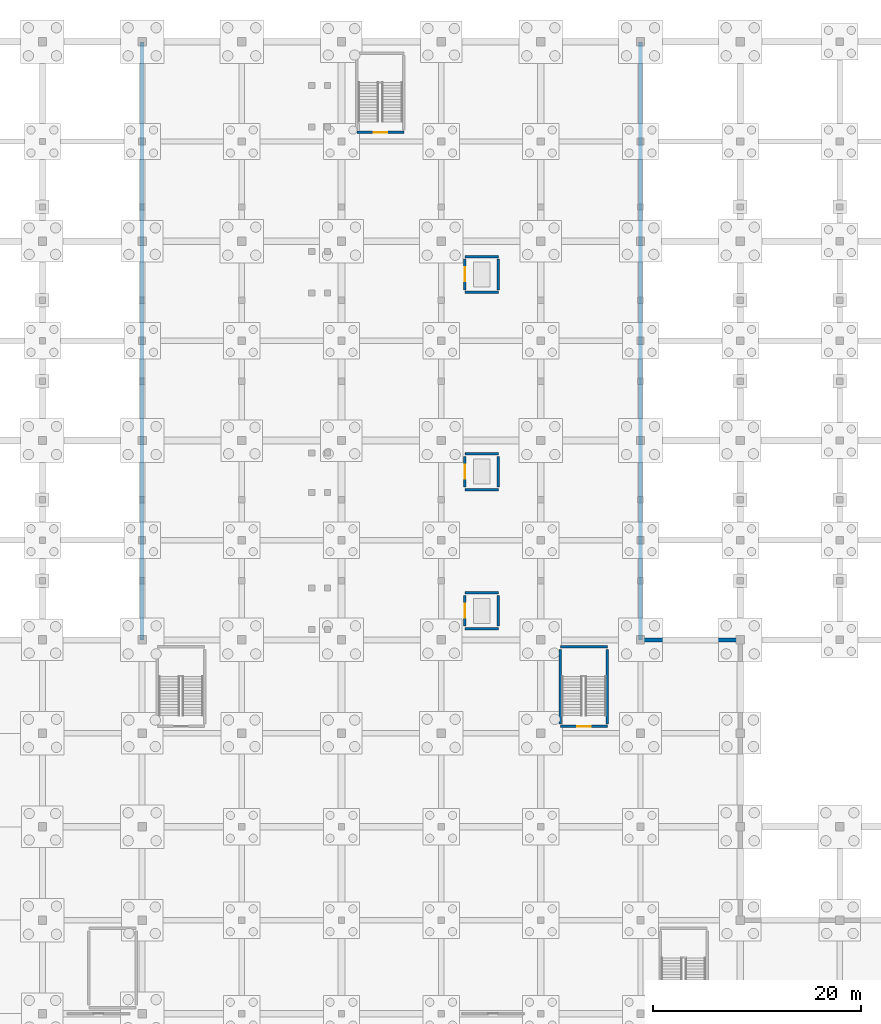
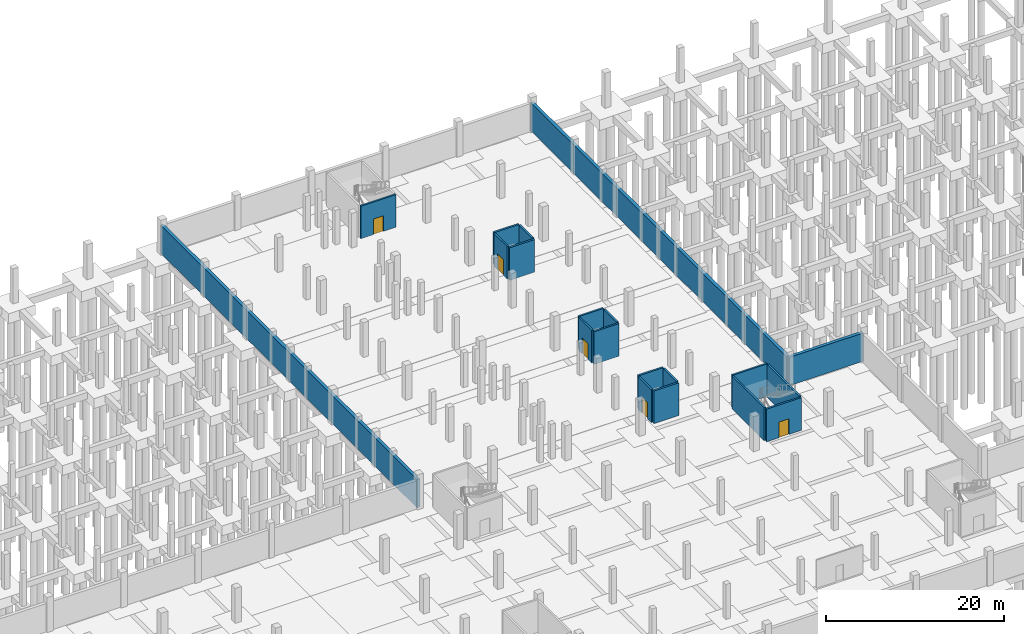
# One storey, part 30 of 39: 20 walls, 5 doors, 5 openings.
"""IFC4 building model written with IfcOpenShell, lengths in metres."""

from ifc_helpers import new_model, si_unit, direction, frame, frame_2d, origin, place, context, subcontext, project, spatial, rectangle, extrude, material, layer, layer_set, type_object, element, fill, save


model = new_model("IFC4")

# Units and contexts
model_context = context("Model", 3, precision=1e-05, world=origin(), true_north=direction((0.0, 1.0)))
body_context = subcontext(model_context, "Body", "Model", "MODEL_VIEW")
ifc_project = project(units=[si_unit("LENGTHUNIT", "METRE"), si_unit("AREAUNIT", "SQUARE_METRE"), si_unit("VOLUMEUNIT", "CUBIC_METRE"), si_unit("PLANEANGLEUNIT", "RADIAN"), si_unit("MASSUNIT", "GRAM", prefix="KILO")], contexts=[model_context])

# Site, building, storey
site_placement = place(None, origin())
site = spatial("IfcSite", under=ifc_project, at=site_placement, CompositionType="ELEMENT")
building_placement = place(site_placement, origin())
building = spatial("IfcBuilding", under=site, at=building_placement, Name="Zarnetskaya Central Station", CompositionType="ELEMENT")
storey_placement = place(building_placement, frame((0.0, 0.0, -4.800048828125)))
storey = spatial("IfcBuildingStorey", under=building, at=storey_placement, Name="B1", CompositionType="ELEMENT", Elevation=-4.800048828125)

# Walls
ifc_material_1 = material(Name="Concrete C35/45", Category="concrete")
ifc_layer_1 = layer(ifc_material_1, 0.39990234375, Name="Concrete C35/45", Category="concrete")
ifc_layer_set_1 = layer_set([ifc_layer_1], Name="Concrete C35/45")
wall_type_1 = type_object("IfcWallType", Name="WALL-RET-400", PredefinedType="USERDEFINED", material=ifc_layer_set_1)
for number, where, z_axis, x_axis, name in (
    (1, (67.199951171875, 67.199951171875, 0.0), (0.0, 0.0, 1.0), (0.0, 1.0, 0.0), "Basement perimeter retaining wall 03"),
    (2, (115.199951171875, 124.800048828125, 0.0), (0.0, 0.0, 1.0), (0.0, -1.0, 0.0), "Basement perimeter retaining wall 05"),
):
    element("IfcWall", number, at=place(storey_placement, frame(where, z_axis=z_axis, x_axis=x_axis)), inside=storey, type_object=wall_type_1, Name=name, ObjectType="RETAININGWALL", PredefinedType="USERDEFINED", context=body_context, shape_type="SweptSolid", body=[
        extrude(rectangle(XDim=57.60009765625, YDim=0.39990234375, at=frame_2d((28.800048828125, 0.0))), origin(), (0.0, 0.0, 1.0), 3.880126953125),
    ])
wall_1_placement = place(storey_placement, frame((115.199951171875, 67.199951171875, 0.0), z_axis=(0.0, 0.0, 1.0), x_axis=(1.0, 0.0, 0.0)))
element("IfcWall", 3, at=wall_1_placement, inside=storey, type_object=wall_type_1, Name="Basement perimeter retaining wall 06", ObjectType="RETAININGWALL", PredefinedType="USERDEFINED", context=body_context, shape_type="SweptSolid", body=[
    extrude(rectangle(XDim=9.60009765625, YDim=0.39990234375, at=frame_2d((4.800048828125, 0.0))), origin(), (0.0, 0.0, 1.0), 3.880126953125),
])
ifc_layer_2 = layer(ifc_material_1, 0.239990234375, Name="Concrete C35/45", Category="concrete")
ifc_layer_set_2 = layer_set([ifc_layer_2], Name="Concrete C35/45")
wall_type_2 = type_object("IfcWallType", Name="WALL-SHFT-240", PredefinedType="SHEAR", material=ifc_layer_set_2)
for number, where, z_axis, x_axis, name in (
    (4, (101.52001953125, 68.280029296875, 0.0), (0.0, 0.0, 1.0), (-1.0, 0.0, 0.0), "Core shear wall WSHF-B1-0137"),
    (5, (98.280029296875, 71.719970703125, 0.0), (0.0, 0.0, 1.0), (1.0, 0.0, 0.0), "Core shear wall WSHF-B1-0138"),
):
    element("IfcWall", number, at=place(storey_placement, frame(where, z_axis=z_axis, x_axis=x_axis)), inside=storey, type_object=wall_type_2, Name=name, PredefinedType="SHEAR", context=body_context, shape_type="SweptSolid", body=[
        extrude(rectangle(XDim=3.239990234375, YDim=0.239990234375, at=frame_2d((1.6201171875, 0.0))), origin(), (0.0, 0.0, 1.0), 4.47998046875),
    ])

# Wall, opening, door
wall_2_placement = place(storey_placement, frame((98.280029296875, 68.52001953125, 0.0), z_axis=(0.0, 0.0, 1.0), x_axis=(0.0, 1.0, 0.0)))
wall_2 = element("IfcWall", 6, at=wall_2_placement, inside=storey, type_object=wall_type_2, Name="Core shear wall WSHF-B1-0139", PredefinedType="SHEAR", context=body_context, shape_type="SweptSolid", body=[
    extrude(rectangle(XDim=2.9599609375, YDim=0.239990234375, at=frame_2d((1.47998046875, 0.0))), origin(), (0.0, 0.0, 1.0), 4.47998046875),
])
opening_1_placement = place(wall_2_placement, frame((0.81005859375, 0.0, 0.0)))
opening_1 = element("IfcOpeningElement", 7, at=opening_1_placement, cuts=wall_2, Name="Opening DR-23", PredefinedType="OPENING", context=body_context, shape_type="SweptSolid", body=[
    extrude(rectangle(XDim=1.340087890625, YDim=2.179931640625, at=frame_2d((0.669921875, 1.08984375))), frame((0.0, 0.1298828125, 0.0), z_axis=(0.0, -1.0, 0.0), x_axis=(1.0, 0.0, 0.0)), (0.0, 0.0, 1.0), 0.260009765625),
])
ifc_material_2 = material(Name="Anodised aluminium", Category="aluminium")
door_type_1 = type_object("IfcDoorType", Name="DR-LIFT-PLAT", OperationType="NOTDEFINED", PredefinedType="DOOR", material=ifc_material_2)
door_1_placement = place(opening_1_placement, origin())
door_1 = element("IfcDoor", 8, at=door_1_placement, inside=storey, type_object=door_type_1, Name="Lift landing sliding door LP-04 B1", OperationType="DOUBLE_DOOR_SLIDING", OverallHeight=2.179931640625, OverallWidth=1.340087890625, PredefinedType="DOOR", context=body_context, shape_type="SweptSolid", body=[
    extrude(rectangle(XDim=1.340087890625, YDim=2.179931640625, at=frame_2d((0.669921875, 1.08984375))), frame((0.0, 0.02490234375, 0.0), z_axis=(0.0, -1.0, 0.0), x_axis=(1.0, 0.0, 0.0)), (0.0, 0.0, 1.0), 0.050048828125),
])
fill(opening_1, door_1)

# Walls
wall_3_placement = place(storey_placement, frame((101.52001953125, 71.47998046875, 0.0), z_axis=(0.0, 0.0, 1.0), x_axis=(0.0, -1.0, 0.0)))
element("IfcWall", 9, at=wall_3_placement, inside=storey, type_object=wall_type_2, Name="Core shear wall WSHF-B1-0140", PredefinedType="SHEAR", context=body_context, shape_type="SweptSolid", body=[
    extrude(rectangle(XDim=2.9599609375, YDim=0.239990234375, at=frame_2d((1.47998046875, 0.0))), origin(), (0.0, 0.0, 1.0), 4.47998046875),
])
for number, where, z_axis, x_axis, name in (
    (10, (101.52001953125, 81.679931640625, 0.0), (0.0, 0.0, 1.0), (-1.0, 0.0, 0.0), "Core shear wall WSHF-B1-0149"),
    (11, (98.280029296875, 85.1201171875, 0.0), (0.0, 0.0, 1.0), (1.0, 0.0, 0.0), "Core shear wall WSHF-B1-0150"),
):
    element("IfcWall", number, at=place(storey_placement, frame(where, z_axis=z_axis, x_axis=x_axis)), inside=storey, type_object=wall_type_2, Name=name, PredefinedType="SHEAR", context=body_context, shape_type="SweptSolid", body=[
        extrude(rectangle(XDim=3.239990234375, YDim=0.239990234375, at=frame_2d((1.6201171875, 0.0))), origin(), (0.0, 0.0, 1.0), 4.47998046875),
    ])

# Wall, opening, door
wall_4_placement = place(storey_placement, frame((98.280029296875, 81.919921875, 0.0), z_axis=(0.0, 0.0, 1.0), x_axis=(0.0, 1.0, 0.0)))
wall_4 = element("IfcWall", 12, at=wall_4_placement, inside=storey, type_object=wall_type_2, Name="Core shear wall WSHF-B1-0151", PredefinedType="SHEAR", context=body_context, shape_type="SweptSolid", body=[
    extrude(rectangle(XDim=2.9599609375, YDim=0.239990234375, at=frame_2d((1.47998046875, 0.0))), origin(), (0.0, 0.0, 1.0), 4.47998046875),
])
opening_2_placement = place(wall_4_placement, frame((0.81005859375, 0.0, 0.0)))
opening_2 = element("IfcOpeningElement", 13, at=opening_2_placement, cuts=wall_4, Name="Opening DR-23", PredefinedType="OPENING", context=body_context, shape_type="SweptSolid", body=[
    extrude(rectangle(XDim=1.340087890625, YDim=2.179931640625, at=frame_2d((0.669921875, 1.08984375))), frame((0.0, 0.1298828125, 0.0), z_axis=(0.0, -1.0, 0.0), x_axis=(1.0, 0.0, 0.0)), (0.0, 0.0, 1.0), 0.260009765625),
])
door_2_placement = place(opening_2_placement, origin())
door_2 = element("IfcDoor", 14, at=door_2_placement, inside=storey, type_object=door_type_1, Name="Lift landing sliding door LP-05 B1", OperationType="DOUBLE_DOOR_SLIDING", OverallHeight=2.179931640625, OverallWidth=1.340087890625, PredefinedType="DOOR", context=body_context, shape_type="SweptSolid", body=[
    extrude(rectangle(XDim=1.340087890625, YDim=2.179931640625, at=frame_2d((0.669921875, 1.08984375))), frame((0.0, 0.02490234375, 0.0), z_axis=(0.0, -1.0, 0.0), x_axis=(1.0, 0.0, 0.0)), (0.0, 0.0, 1.0), 0.050048828125),
])
fill(opening_2, door_2)

# Walls
wall_5_placement = place(storey_placement, frame((101.52001953125, 84.8798828125, 0.0), z_axis=(0.0, 0.0, 1.0), x_axis=(0.0, -1.0, 0.0)))
element("IfcWall", 15, at=wall_5_placement, inside=storey, type_object=wall_type_2, Name="Core shear wall WSHF-B1-0152", PredefinedType="SHEAR", context=body_context, shape_type="SweptSolid", body=[
    extrude(rectangle(XDim=2.9599609375, YDim=0.239990234375, at=frame_2d((1.47998046875, 0.0))), origin(), (0.0, 0.0, 1.0), 4.47998046875),
])
for number, where, z_axis, x_axis, name in (
    (16, (101.52001953125, 100.679931640625, 0.0), (0.0, 0.0, 1.0), (-1.0, 0.0, 0.0), "Core shear wall WSHF-B1-0161"),
    (17, (98.280029296875, 104.1201171875, 0.0), (0.0, 0.0, 1.0), (1.0, 0.0, 0.0), "Core shear wall WSHF-B1-0162"),
):
    element("IfcWall", number, at=place(storey_placement, frame(where, z_axis=z_axis, x_axis=x_axis)), inside=storey, type_object=wall_type_2, Name=name, PredefinedType="SHEAR", context=body_context, shape_type="SweptSolid", body=[
        extrude(rectangle(XDim=3.239990234375, YDim=0.239990234375, at=frame_2d((1.6201171875, 0.0))), origin(), (0.0, 0.0, 1.0), 4.47998046875),
    ])

# Wall, opening, door
wall_6_placement = place(storey_placement, frame((98.280029296875, 100.919921875, 0.0), z_axis=(0.0, 0.0, 1.0), x_axis=(0.0, 1.0, 0.0)))
wall_6 = element("IfcWall", 18, at=wall_6_placement, inside=storey, type_object=wall_type_2, Name="Core shear wall WSHF-B1-0163", PredefinedType="SHEAR", context=body_context, shape_type="SweptSolid", body=[
    extrude(rectangle(XDim=2.9599609375, YDim=0.239990234375, at=frame_2d((1.47998046875, 0.0))), origin(), (0.0, 0.0, 1.0), 4.47998046875),
])
opening_3_placement = place(wall_6_placement, frame((0.81005859375, 0.0, 0.0)))
opening_3 = element("IfcOpeningElement", 19, at=opening_3_placement, cuts=wall_6, Name="Opening DR-23", PredefinedType="OPENING", context=body_context, shape_type="SweptSolid", body=[
    extrude(rectangle(XDim=1.340087890625, YDim=2.179931640625, at=frame_2d((0.669921875, 1.08984375))), frame((0.0, 0.1298828125, 0.0), z_axis=(0.0, -1.0, 0.0), x_axis=(1.0, 0.0, 0.0)), (0.0, 0.0, 1.0), 0.260009765625),
])
door_3_placement = place(opening_3_placement, origin())
door_3 = element("IfcDoor", 20, at=door_3_placement, inside=storey, type_object=door_type_1, Name="Lift landing sliding door LP-06 B1", OperationType="DOUBLE_DOOR_SLIDING", OverallHeight=2.179931640625, OverallWidth=1.340087890625, PredefinedType="DOOR", context=body_context, shape_type="SweptSolid", body=[
    extrude(rectangle(XDim=1.340087890625, YDim=2.179931640625, at=frame_2d((0.669921875, 1.08984375))), frame((0.0, 0.02490234375, 0.0), z_axis=(0.0, -1.0, 0.0), x_axis=(1.0, 0.0, 0.0)), (0.0, 0.0, 1.0), 0.050048828125),
])
fill(opening_3, door_3)

# Wall
wall_7_placement = place(storey_placement, frame((101.52001953125, 103.8798828125, 0.0), z_axis=(0.0, 0.0, 1.0), x_axis=(0.0, -1.0, 0.0)))
element("IfcWall", 21, at=wall_7_placement, inside=storey, type_object=wall_type_2, Name="Core shear wall WSHF-B1-0164", PredefinedType="SHEAR", context=body_context, shape_type="SweptSolid", body=[
    extrude(rectangle(XDim=2.9599609375, YDim=0.239990234375, at=frame_2d((1.47998046875, 0.0))), origin(), (0.0, 0.0, 1.0), 4.47998046875),
])

# Wall, opening, door
wall_8_placement = place(storey_placement, frame((112.02001953125, 58.8798828125, 0.0), z_axis=(0.0, 0.0, 1.0), x_axis=(-1.0, 0.0, 0.0)))
wall_8 = element("IfcWall", 22, at=wall_8_placement, inside=storey, type_object=wall_type_2, Name="Core shear wall WSTR-B1-0309", PredefinedType="SHEAR", context=body_context, shape_type="SweptSolid", body=[
    extrude(rectangle(XDim=4.5400390625, YDim=0.239990234375, at=frame_2d((2.27001953125, 0.0))), origin(), (0.0, 0.0, 1.0), 4.47998046875),
])
opening_4_placement = place(wall_8_placement, frame((1.610107421875, 0.0, 0.0)))
opening_4 = element("IfcOpeningElement", 23, at=opening_4_placement, cuts=wall_8, Name="Opening DR-FD60", PredefinedType="OPENING", context=body_context, shape_type="SweptSolid", body=[
    extrude(rectangle(XDim=1.320068359375, YDim=2.14990234375, at=frame_2d((0.66015625, 1.074951171875))), frame((0.0, 0.1298828125, 0.0), z_axis=(0.0, -1.0, 0.0), x_axis=(1.0, 0.0, 0.0)), (0.0, 0.0, 1.0), 0.260009765625),
])
door_type_2 = type_object("IfcDoorType", Name="DR-FIRE-STAIR", OperationType="NOTDEFINED", PredefinedType="DOOR", material=ifc_material_2)
door_4_placement = place(opening_4_placement, origin())
door_4 = element("IfcDoor", 24, at=door_4_placement, inside=storey, type_object=door_type_2, Name="Protected exit stair door ST-U2 B1", OperationType="SINGLE_SWING_RIGHT", OverallHeight=2.14990234375, OverallWidth=1.320068359375, PredefinedType="DOOR", context=body_context, shape_type="SweptSolid", body=[
    extrude(rectangle(XDim=1.320068359375, YDim=2.14990234375, at=frame_2d((0.66015625, 1.074951171875))), frame((0.0, 0.02490234375, 0.0), z_axis=(0.0, -1.0, 0.0), x_axis=(1.0, 0.0, 0.0)), (0.0, 0.0, 1.0), 0.050048828125),
])
fill(opening_4, door_4)

# Walls
wall_9_placement = place(storey_placement, frame((107.47998046875, 66.52001953125, 0.0), z_axis=(0.0, 0.0, 1.0), x_axis=(1.0, 0.0, 0.0)))
element("IfcWall", 25, at=wall_9_placement, inside=storey, type_object=wall_type_2, Name="Core shear wall WSTR-B1-0310", PredefinedType="SHEAR", context=body_context, shape_type="SweptSolid", body=[
    extrude(rectangle(XDim=4.5400390625, YDim=0.239990234375, at=frame_2d((2.27001953125, 0.0))), origin(), (0.0, 0.0, 1.0), 4.47998046875),
])
for number, where, z_axis, x_axis, name in (
    (26, (107.47998046875, 59.1201171875, 0.0), (0.0, 0.0, 1.0), (0.0, 1.0, 0.0), "Core shear wall WSTR-B1-0311"),
    (27, (112.02001953125, 66.280029296875, 0.0), (0.0, 0.0, 1.0), (0.0, -1.0, 0.0), "Core shear wall WSTR-B1-0312"),
):
    element("IfcWall", number, at=place(storey_placement, frame(where, z_axis=z_axis, x_axis=x_axis)), inside=storey, type_object=wall_type_2, Name=name, PredefinedType="SHEAR", context=body_context, shape_type="SweptSolid", body=[
        extrude(rectangle(XDim=7.159912109375, YDim=0.239990234375, at=frame_2d((3.580078125, 0.0))), origin(), (0.0, 0.0, 1.0), 4.47998046875),
    ])

# Wall, opening, door
wall_10_placement = place(storey_placement, frame((92.419921875, 116.080078125, 0.0), z_axis=(0.0, 0.0, 1.0), x_axis=(-1.0, 0.0, 0.0)))
wall_10 = element("IfcWall", 28, at=wall_10_placement, inside=storey, type_object=wall_type_2, Name="Core shear wall WSTR-B1-0317", PredefinedType="SHEAR", context=body_context, shape_type="SweptSolid", body=[
    extrude(rectangle(XDim=4.5400390625, YDim=0.239990234375, at=frame_2d((2.27001953125, 0.0))), origin(), (0.0, 0.0, 1.0), 4.47998046875),
])
opening_5_placement = place(wall_10_placement, frame((1.610107421875, 0.0, 0.0)))
opening_5 = element("IfcOpeningElement", 29, at=opening_5_placement, cuts=wall_10, Name="Opening DR-FD60", PredefinedType="OPENING", context=body_context, shape_type="SweptSolid", body=[
    extrude(rectangle(XDim=1.320068359375, YDim=2.14990234375, at=frame_2d((0.66015625, 1.074951171875))), frame((0.0, 0.1298828125, 0.0), z_axis=(0.0, -1.0, 0.0), x_axis=(1.0, 0.0, 0.0)), (0.0, 0.0, 1.0), 0.260009765625),
])
door_5_placement = place(opening_5_placement, origin())
door_5 = element("IfcDoor", 30, at=door_5_placement, inside=storey, type_object=door_type_2, Name="Protected exit stair door ST-B1 B1", OperationType="SINGLE_SWING_RIGHT", OverallHeight=2.14990234375, OverallWidth=1.320068359375, PredefinedType="DOOR", context=body_context, shape_type="SweptSolid", body=[
    extrude(rectangle(XDim=1.320068359375, YDim=2.14990234375, at=frame_2d((0.66015625, 1.074951171875))), frame((0.0, 0.02490234375, 0.0), z_axis=(0.0, -1.0, 0.0), x_axis=(1.0, 0.0, 0.0)), (0.0, 0.0, 1.0), 0.050048828125),
])
fill(opening_5, door_5)

save(model, "model.ifc")
